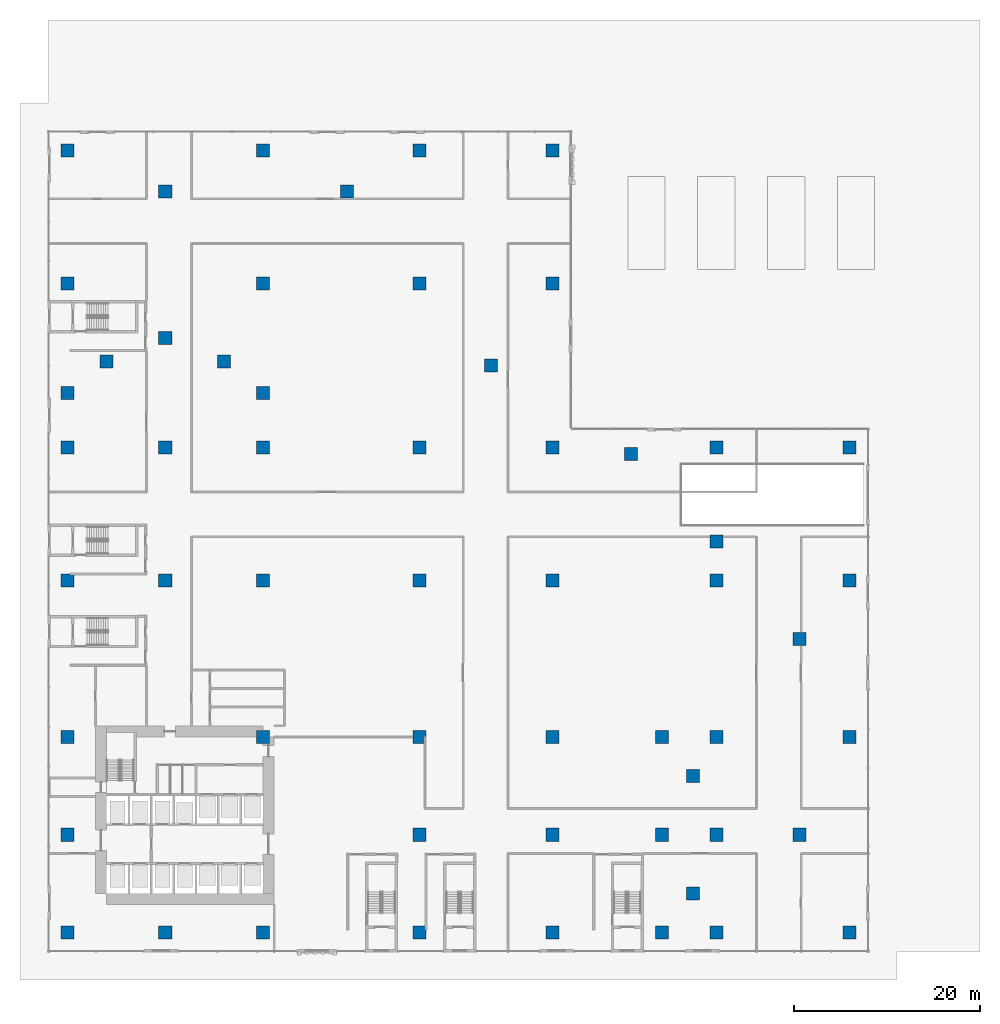
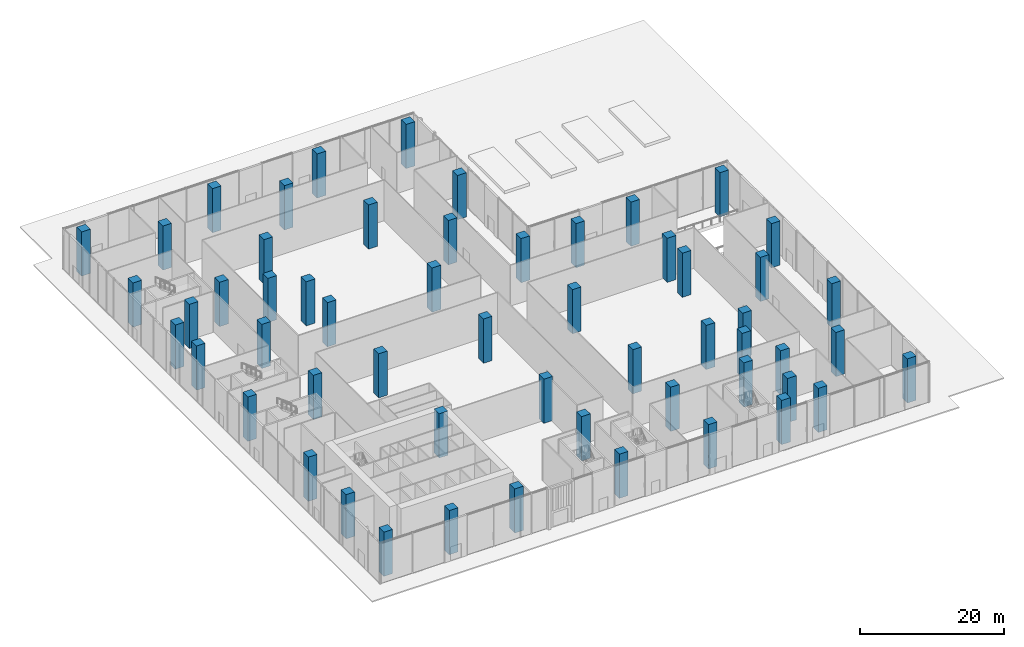
# One storey, part 1 of 26: 56 columns.
"""IFC4 building model written with IfcOpenShell, lengths in metres."""

from ifc_helpers import new_model, si_unit, direction, frame, origin, origin_with_axes, origin_2d, place, context, subcontext, project, spatial, rectangle, extrude, source, transform, mapped, material, material_profile, profile_set, type_object, element, save


model = new_model("IFC4")

# Units and contexts
model_context = context("Model", 3, precision=1e-05, world=origin(), true_north=direction((0.0, 1.0)))
body_context = subcontext(model_context, "Body", "Model", "MODEL_VIEW")
ifc_project = project(units=[si_unit("LENGTHUNIT", "METRE"), si_unit("AREAUNIT", "SQUARE_METRE"), si_unit("VOLUMEUNIT", "CUBIC_METRE"), si_unit("PLANEANGLEUNIT", "RADIAN"), si_unit("MASSUNIT", "GRAM", prefix="KILO")], contexts=[model_context])

# Site, building, storey
site_placement = place(None, origin())
site = spatial("IfcSite", under=ifc_project, at=site_placement, CompositionType="ELEMENT")
building_placement = place(site_placement, origin())
building = spatial("IfcBuilding", under=site, at=building_placement, Name="Aurelian Terraces", CompositionType="ELEMENT")
storey_placement = place(building_placement, origin())
storey = spatial("IfcBuildingStorey", under=building, at=storey_placement, Name="L00", CompositionType="ELEMENT", Elevation=0.0)

# Columns
ifc_material = material(Name="Concrete fc' 83 MPa", Category="concrete")
ifc_material_profile = material_profile(ifc_material, rectangle(XDim=1.4, YDim=1.4, at=origin_2d()))
ifc_profile_set = profile_set([ifc_material_profile], Name="Concrete fc' 83 MPa")
column_type = type_object("IfcColumnType", Name="RC COLUMN 1400X1400 FC83", PredefinedType="COLUMN", material=ifc_profile_set)
column_placement = place(storey_placement, origin_with_axes())
element("IfcColumn", 1, at=column_placement, inside=storey, type_object=column_type, Name="Column 1/A L00", PredefinedType="COLUMN", context=body_context, shape_type="SweptSolid", body=[
    extrude(rectangle(XDim=1.4, YDim=1.4, at=origin_2d()), origin(), (0.0, 0.0, 1.0), 7.5),
])
shared_shape = source(origin(), body_context, "Body", "SweptSolid", [
    extrude(rectangle(XDim=1.4, YDim=1.4, at=origin_2d()), origin(), (0.0, 0.0, 1.0), 7.5),
])
for number, where, z_axis, x_axis, name in (
    (2, (0.0, 10.5, 0.0), (0.0, 0.0, 1.0), (1.0, 0.0, 0.0), "Column 1/B L00"),
    (3, (0.0, 21.0, 0.0), (0.0, 0.0, 1.0), (1.0, 0.0, 0.0), "Column 1/C L00"),
    (4, (0.0, 37.8, 0.0), (0.0, 0.0, 1.0), (1.0, 0.0, 0.0), "Column 1/E L00"),
    (5, (0.0, 52.08, 0.0), (0.0, 0.0, 1.0), (1.0, 0.0, 0.0), "Column 1/G L00"),
    (6, (0.0, 57.96, 0.0), (0.0, 0.0, 1.0), (1.0, 0.0, 0.0), "Column 1/H L00"),
    (7, (0.0, 69.72, 0.0), (0.0, 0.0, 1.0), (1.0, 0.0, 0.0), "Column 1/J L00"),
    (8, (0.0, 84.0, 0.0), (0.0, 0.0, 1.0), (1.0, 0.0, 0.0), "Column 1/K L00"),
    (9, (4.2, 61.32, 0.0), (0.0, 0.0, 1.0), (1.0, 0.0, 0.0), "Column 4.20/61.32 L00"),
    (10, (10.5, 0.0, 0.0), (0.0, 0.0, 1.0), (1.0, 0.0, 0.0), "Column 2/A L00"),
    (11, (10.5, 37.8, 0.0), (0.0, 0.0, 1.0), (1.0, 0.0, 0.0), "Column 2/E L00"),
    (12, (10.5, 52.08, 0.0), (0.0, 0.0, 1.0), (1.0, 0.0, 0.0), "Column 2/G L00"),
    (13, (10.5, 63.84, 0.0), (0.0, 0.0, 1.0), (1.0, 0.0, 0.0), "Column 2/I L00"),
    (14, (10.5, 79.6, 0.0), (0.0, 0.0, 1.0), (1.0, 0.0, 0.0), "Column 10.50/79.60 L00"),
    (15, (16.8, 61.32, 0.0), (0.0, 0.0, 1.0), (1.0, 0.0, 0.0), "Column 16.80/61.32 L00"),
    (16, (21.0, 0.0, 0.0), (0.0, 0.0, 1.0), (1.0, 0.0, 0.0), "Column 3/A L00"),
    (17, (21.0, 21.0, 0.0), (0.0, 0.0, 1.0), (1.0, 0.0, 0.0), "Column 3/C L00"),
    (18, (21.0, 37.8, 0.0), (0.0, 0.0, 1.0), (1.0, 0.0, 0.0), "Column 3/E L00"),
    (19, (21.0, 52.08, 0.0), (0.0, 0.0, 1.0), (1.0, 0.0, 0.0), "Column 3/G L00"),
    (20, (21.0, 57.96, 0.0), (0.0, 0.0, 1.0), (1.0, 0.0, 0.0), "Column 3/H L00"),
    (21, (21.0, 69.72, 0.0), (0.0, 0.0, 1.0), (1.0, 0.0, 0.0), "Column 3/J L00"),
    (22, (21.0, 84.0, 0.0), (0.0, 0.0, 1.0), (1.0, 0.0, 0.0), "Column 3/K L00"),
    (23, (30.0, 79.6, 0.0), (0.0, 0.0, 1.0), (1.0, 0.0, 0.0), "Column 30.00/79.60 L00"),
    (24, (37.8, 0.0, 0.0), (0.0, 0.0, 1.0), (1.0, 0.0, 0.0), "Column 5/A L00"),
    (25, (37.8, 10.5, 0.0), (0.0, 0.0, 1.0), (1.0, 0.0, 0.0), "Column 5/B L00"),
    (26, (37.8, 21.0, 0.0), (0.0, 0.0, 1.0), (1.0, 0.0, 0.0), "Column 5/C L00"),
    (27, (37.8, 37.8, 0.0), (0.0, 0.0, 1.0), (1.0, 0.0, 0.0), "Column 5/E L00"),
    (28, (37.8, 52.08, 0.0), (0.0, 0.0, 1.0), (1.0, 0.0, 0.0), "Column 5/G L00"),
    (29, (37.8, 69.72, 0.0), (0.0, 0.0, 1.0), (1.0, 0.0, 0.0), "Column 5/J L00"),
    (30, (37.8, 84.0, 0.0), (0.0, 0.0, 1.0), (1.0, 0.0, 0.0), "Column 5/K L00"),
    (31, (45.5, 60.9, 0.0), (0.0, 0.0, 1.0), (1.0, 0.0, 0.0), "Column 45.50/60.90 L00"),
    (32, (52.08, 0.0, 0.0), (0.0, 0.0, 1.0), (1.0, 0.0, 0.0), "Column 7/A L00"),
    (33, (52.08, 10.5, 0.0), (0.0, 0.0, 1.0), (1.0, 0.0, 0.0), "Column 7/B L00"),
    (34, (52.08, 21.0, 0.0), (0.0, 0.0, 1.0), (1.0, 0.0, 0.0), "Column 7/C L00"),
    (35, (52.08, 37.8, 0.0), (0.0, 0.0, 1.0), (1.0, 0.0, 0.0), "Column 7/E L00"),
    (36, (52.08, 52.08, 0.0), (0.0, 0.0, 1.0), (1.0, 0.0, 0.0), "Column 7/G L00"),
    (37, (52.08, 69.72, 0.0), (0.0, 0.0, 1.0), (1.0, 0.0, 0.0), "Column 7/J L00"),
    (38, (52.08, 84.0, 0.0), (0.0, 0.0, 1.0), (1.0, 0.0, 0.0), "Column 7/K L00"),
    (39, (60.5, 51.4, 0.0), (0.0, 0.0, 1.0), (1.0, 0.0, 0.0), "Column 60.50/51.40 L00"),
    (40, (63.84, 0.0, 0.0), (0.0, 0.0, 1.0), (1.0, 0.0, 0.0), "Column 9/A L00"),
    (41, (63.84, 10.5, 0.0), (0.0, 0.0, 1.0), (1.0, 0.0, 0.0), "Column 9/B L00"),
    (42, (63.84, 21.0, 0.0), (0.0, 0.0, 1.0), (1.0, 0.0, 0.0), "Column 9/C L00"),
    (43, (67.2, 4.2, 0.0), (0.0, 0.0, 1.0), (1.0, 0.0, 0.0), "Column 67.20/4.20 L00"),
    (44, (67.2, 16.8, 0.0), (0.0, 0.0, 1.0), (1.0, 0.0, 0.0), "Column 67.20/16.80 L00"),
    (45, (69.72, 0.0, 0.0), (0.0, 0.0, 1.0), (1.0, 0.0, 0.0), "Column 10/A L00"),
    (46, (69.72, 10.5, 0.0), (0.0, 0.0, 1.0), (1.0, 0.0, 0.0), "Column 10/B L00"),
    (47, (69.72, 21.0, 0.0), (0.0, 0.0, 1.0), (1.0, 0.0, 0.0), "Column 10/C L00"),
    (48, (69.72, 37.8, 0.0), (0.0, 0.0, 1.0), (1.0, 0.0, 0.0), "Column 10/E L00"),
    (49, (69.72, 42.0, 0.0), (0.0, 0.0, 1.0), (1.0, 0.0, 0.0), "Column 69.72/42.00 L00"),
    (50, (69.72, 52.08, 0.0), (0.0, 0.0, 1.0), (1.0, 0.0, 0.0), "Column 10/G L00"),
    (51, (78.6, 10.5, 0.0), (0.0, 0.0, 1.0), (1.0, 0.0, 0.0), "Column 78.60/10.50 L00"),
    (52, (78.6, 31.5, 0.0), (0.0, 0.0, 1.0), (1.0, 0.0, 0.0), "Column 78.60/31.50 L00"),
    (53, (84.0, 0.0, 0.0), (0.0, 0.0, 1.0), (1.0, 0.0, 0.0), "Column 11/A L00"),
    (54, (84.0, 21.0, 0.0), (0.0, 0.0, 1.0), (1.0, 0.0, 0.0), "Column 11/C L00"),
    (55, (84.0, 37.8, 0.0), (0.0, 0.0, 1.0), (1.0, 0.0, 0.0), "Column 11/E L00"),
    (56, (84.0, 52.08, 0.0), (0.0, 0.0, 1.0), (1.0, 0.0, 0.0), "Column 11/G L00"),
):
    element("IfcColumn", number, at=place(storey_placement, frame(where, z_axis=z_axis, x_axis=x_axis)), inside=storey, type_object=column_type, Name=name, PredefinedType="COLUMN", context=body_context, shape_type="MappedRepresentation", body=[
        mapped(shared_shape, transform((0.0, 0.0, 0.0), scale=1.0)),
    ])

save(model, "model.ifc")
